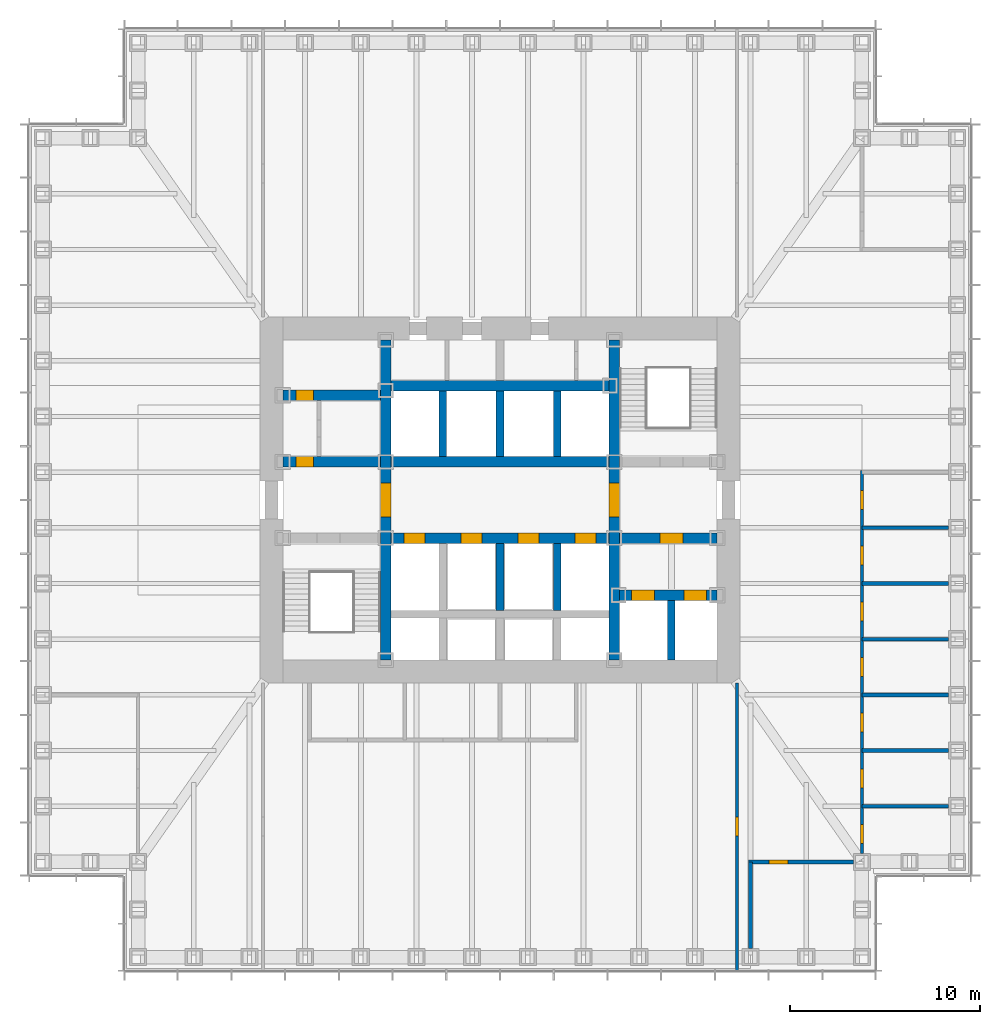
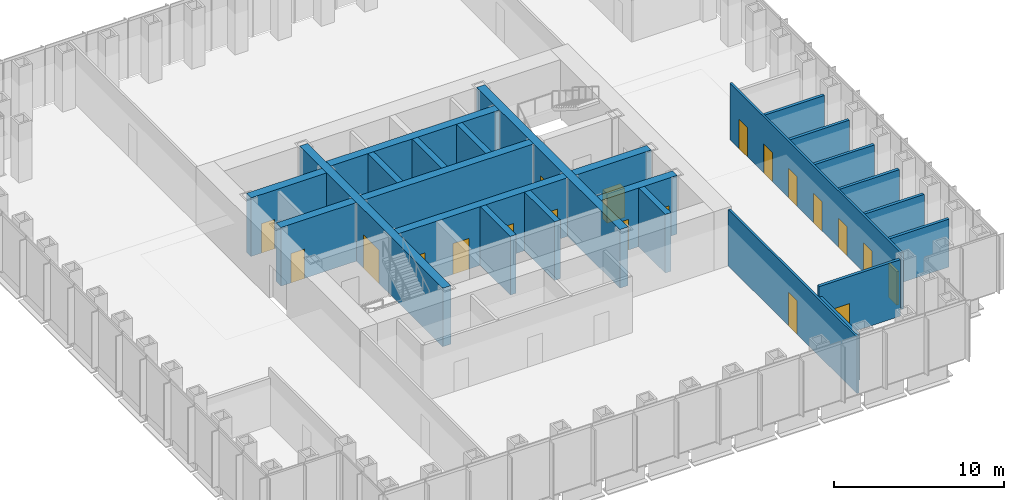
# One storey, part 9 of 16: 25 walls, 20 doors, 20 openings.
"""IFC4 building model written with IfcOpenShell, lengths in metres."""

from ifc_helpers import new_model, si_unit, direction, frame, frame_2d, origin, place, context, subcontext, project, spatial, rectangle, extrude, material, layer, layer_set, type_object, element, fill, save


model = new_model("IFC4")

# Units and contexts
model_context = context("Model", 3, precision=1e-05, world=origin(), true_north=direction((0.0, 1.0)))
body_context = subcontext(model_context, "Body", "Model", "MODEL_VIEW")
ifc_project = project(units=[si_unit("LENGTHUNIT", "METRE"), si_unit("AREAUNIT", "SQUARE_METRE"), si_unit("VOLUMEUNIT", "CUBIC_METRE"), si_unit("PLANEANGLEUNIT", "RADIAN"), si_unit("MASSUNIT", "GRAM", prefix="KILO")], contexts=[model_context])

# Site, building, storey
site_placement = place(None, origin())
site = spatial("IfcSite", under=ifc_project, at=site_placement, CompositionType="ELEMENT")
building_placement = place(site_placement, origin())
building = spatial("IfcBuilding", under=site, at=building_placement, Name="Daluyong Arena Tower", CompositionType="ELEMENT")
storey_placement = place(building_placement, frame((0.0, 0.0, 76.89990234375)))
storey = spatial("IfcBuildingStorey", under=building, at=storey_placement, Name="L16", CompositionType="ELEMENT", Elevation=76.89990234375)

# Wall, opening, door
ifc_material_1 = material(Name="Concrete fc' 45 MPa", Category="concrete")
ifc_layer_1 = layer(ifc_material_1, 0.550048828125)
ifc_layer_set_1 = layer_set([ifc_layer_1], Name="Concrete fc' 45 MPa")
wall_type_1 = type_object("IfcWallType", Name="Core inner wall 550", PredefinedType="SHEAR", material=ifc_layer_set_1)
wall_1_placement = place(storey_placement, frame((50.0, 71.60009765625, 0.0), z_axis=(0.0, 0.0, 1.0), x_axis=(0.0, 1.0, 0.0)))
wall_1 = element("IfcWall", 1, at=wall_1_placement, inside=storey, type_object=wall_type_1, Name="core inner wall at L16", PredefinedType="SHEAR", context=body_context, shape_type="SweptSolid", body=[
    extrude(rectangle(XDim=16.7998046875, YDim=0.550048828125, at=frame_2d((8.39990234375, 0.0))), origin(), (0.0, 0.0, 1.0), 4.2001953125),
])
opening_1_placement = place(wall_1_placement, frame((7.5, 0.0, 0.0)))
opening_1 = element("IfcOpeningElement", 2, at=opening_1_placement, cuts=wall_1, Name="Opening 16012", PredefinedType="OPENING", context=body_context, shape_type="SweptSolid", body=[
    extrude(rectangle(XDim=1.800048828125, YDim=2.39990234375, at=frame_2d((0.89990234375, 1.199951171875))), frame((0.0, 0.284912109375, 0.0), z_axis=(0.0, -1.0, 0.0), x_axis=(1.0, 0.0, 0.0)), (0.0, 0.0, 1.0), 0.570068359375),
])
ifc_material_2 = material(Name="Steel door, fire rated", Category="steel")
door_type_1 = type_object("IfcDoorType", Name="Lift lobby opening door 1800", OperationType="DOUBLE_DOOR_SINGLE_SWING", PredefinedType="DOOR", material=ifc_material_2)
door_1_placement = place(opening_1_placement, origin())
door_1 = element("IfcDoor", 3, at=door_1_placement, inside=storey, type_object=door_type_1, Name="lift lobby door west 16012", OperationType="DOUBLE_DOOR_SINGLE_SWING", OverallHeight=2.39990234375, OverallWidth=1.800048828125, PredefinedType="DOOR", context=body_context, shape_type="SweptSolid", body=[
    extrude(rectangle(XDim=1.800048828125, YDim=2.39990234375, at=frame_2d((0.89990234375, 1.199951171875))), frame((0.0, 0.27490234375, 0.0), z_axis=(0.0, -1.0, 0.0), x_axis=(1.0, 0.0, 0.0)), (0.0, 0.0, 1.0), 0.549560546875),
])
fill(opening_1, door_1)

wall_2_placement = place(storey_placement, frame((62.0, 71.60009765625, 0.0), z_axis=(0.0, 0.0, 1.0), x_axis=(0.0, 1.0, 0.0)))
wall_2 = element("IfcWall", 4, at=wall_2_placement, inside=storey, type_object=wall_type_1, Name="core inner wall at L16", PredefinedType="SHEAR", context=body_context, shape_type="SweptSolid", body=[
    extrude(rectangle(XDim=16.7998046875, YDim=0.550048828125, at=frame_2d((8.39990234375, 0.0))), origin(), (0.0, 0.0, 1.0), 4.2001953125),
])
opening_2_placement = place(wall_2_placement, frame((7.5, 0.0, 0.0)))
opening_2 = element("IfcOpeningElement", 5, at=opening_2_placement, cuts=wall_2, Name="Opening 16013", PredefinedType="OPENING", context=body_context, shape_type="SweptSolid", body=[
    extrude(rectangle(XDim=1.800048828125, YDim=2.39990234375, at=frame_2d((0.89990234375, 1.199951171875))), frame((0.0, 0.284912109375, 0.0), z_axis=(0.0, -1.0, 0.0), x_axis=(1.0, 0.0, 0.0)), (0.0, 0.0, 1.0), 0.570068359375),
])
door_2_placement = place(opening_2_placement, origin())
door_2 = element("IfcDoor", 6, at=door_2_placement, inside=storey, type_object=door_type_1, Name="lift lobby door east 16013", OperationType="DOUBLE_DOOR_SINGLE_SWING", OverallHeight=2.39990234375, OverallWidth=1.800048828125, PredefinedType="DOOR", context=body_context, shape_type="SweptSolid", body=[
    extrude(rectangle(XDim=1.800048828125, YDim=2.39990234375, at=frame_2d((0.89990234375, 1.199951171875))), frame((0.0, 0.27490234375, 0.0), z_axis=(0.0, -1.0, 0.0), x_axis=(1.0, 0.0, 0.0)), (0.0, 0.0, 1.0), 0.549560546875),
])
fill(opening_2, door_2)

wall_3_placement = place(storey_placement, frame((44.60009765625, 82.0, 0.0), z_axis=(0.0, 0.0, 1.0), x_axis=(1.0, 0.0, 0.0)))
wall_3 = element("IfcWall", 7, at=wall_3_placement, inside=storey, type_object=wall_type_1, Name="core inner wall at L16", PredefinedType="SHEAR", context=body_context, shape_type="SweptSolid", body=[
    extrude(rectangle(XDim=5.125, YDim=0.550048828125, at=frame_2d((2.5625, 0.0))), origin(), (0.0, 0.0, 1.0), 4.2001953125),
])
opening_3_placement = place(wall_3_placement, frame((0.699951171875, 0.0, 0.0)))
opening_3 = element("IfcOpeningElement", 8, at=opening_3_placement, cuts=wall_3, Name="Opening 16001", PredefinedType="OPENING", context=body_context, shape_type="SweptSolid", body=[
    extrude(rectangle(XDim=0.89990234375, YDim=2.10009765625, at=frame_2d((0.449951171875, 1.050048828125))), frame((0.0, 0.284912109375, 0.0), z_axis=(0.0, -1.0, 0.0), x_axis=(1.0, 0.0, 0.0)), (0.0, 0.0, 1.0), 0.570068359375),
])
ifc_material_3 = material(Name="Steel door, fire rated", Category="steel")
door_type_2 = type_object("IfcDoorType", Name="Core room door 900", OperationType="SINGLE_SWING_LEFT", PredefinedType="DOOR", material=ifc_material_3)
door_3_placement = place(opening_3_placement, origin())
door_3 = element("IfcDoor", 9, at=door_3_placement, inside=storey, type_object=door_type_2, Name="toilet lobby door 16001", OperationType="SINGLE_SWING_LEFT", OverallHeight=2.10009765625, OverallWidth=0.89990234375, PredefinedType="DOOR", context=body_context, shape_type="SweptSolid", body=[
    extrude(rectangle(XDim=0.89990234375, YDim=2.10009765625, at=frame_2d((0.449951171875, 1.050048828125))), frame((0.0, 0.27490234375, 0.0), z_axis=(0.0, -1.0, 0.0), x_axis=(1.0, 0.0, 0.0)), (0.0, 0.0, 1.0), 0.549560546875),
])
fill(opening_3, door_3)

wall_4_placement = place(storey_placement, frame((44.60009765625, 85.5, 0.0), z_axis=(0.0, 0.0, 1.0), x_axis=(1.0, 0.0, 0.0)))
wall_4 = element("IfcWall", 10, at=wall_4_placement, inside=storey, type_object=wall_type_1, Name="core inner wall at L16", PredefinedType="SHEAR", context=body_context, shape_type="SweptSolid", body=[
    extrude(rectangle(XDim=5.125, YDim=0.550048828125, at=frame_2d((2.5625, 0.0))), origin(), (0.0, 0.0, 1.0), 4.2001953125),
])
opening_4_placement = place(wall_4_placement, frame((0.699951171875, 0.0, 0.0)))
opening_4 = element("IfcOpeningElement", 11, at=opening_4_placement, cuts=wall_4, Name="Opening 16003", PredefinedType="OPENING", context=body_context, shape_type="SweptSolid", body=[
    extrude(rectangle(XDim=0.89990234375, YDim=2.10009765625, at=frame_2d((0.449951171875, 1.050048828125))), frame((0.0, 0.284912109375, 0.0), z_axis=(0.0, -1.0, 0.0), x_axis=(1.0, 0.0, 0.0)), (0.0, 0.0, 1.0), 0.570068359375),
])
ifc_material_4 = material(Name="Timber door", Category="wood")
door_type_3 = type_object("IfcDoorType", Name="Toilet door 900", OperationType="SINGLE_SWING_RIGHT", PredefinedType="DOOR", material=ifc_material_4)
door_4_placement = place(opening_4_placement, origin())
door_4 = element("IfcDoor", 12, at=door_4_placement, inside=storey, type_object=door_type_3, Name="female toilet door 16003", OperationType="SINGLE_SWING_RIGHT", OverallHeight=2.10009765625, OverallWidth=0.89990234375, PredefinedType="DOOR", context=body_context, shape_type="SweptSolid", body=[
    extrude(rectangle(XDim=0.89990234375, YDim=2.10009765625, at=frame_2d((0.449951171875, 1.050048828125))), frame((0.0, 0.27490234375, 0.0), z_axis=(0.0, -1.0, 0.0), x_axis=(1.0, 0.0, 0.0)), (0.0, 0.0, 1.0), 0.549560546875),
])
fill(opening_4, door_4)

# Wall, openings, doors
wall_5_placement = place(storey_placement, frame((62.27490234375, 75.0, 0.0), z_axis=(0.0, 0.0, 1.0), x_axis=(1.0, 0.0, 0.0)))
wall_5 = element("IfcWall", 13, at=wall_5_placement, inside=storey, type_object=wall_type_1, Name="core inner wall at L16", PredefinedType="SHEAR", context=body_context, shape_type="SweptSolid", body=[
    extrude(rectangle(XDim=5.125, YDim=0.550048828125, at=frame_2d((2.5625, 0.0))), origin(), (0.0, 0.0, 1.0), 4.2001953125),
])
opening_5_placement = place(wall_5_placement, frame((0.625, 0.0, 0.0)))
opening_5 = element("IfcOpeningElement", 14, at=opening_5_placement, cuts=wall_5, Name="Opening 16019", PredefinedType="OPENING", context=body_context, shape_type="SweptSolid", body=[
    extrude(rectangle(XDim=1.199951171875, YDim=2.199951171875, at=frame_2d((0.60009765625, 1.10009765625))), frame((0.0, 0.284912109375, 0.0), z_axis=(0.0, -1.0, 0.0), x_axis=(1.0, 0.0, 0.0)), (0.0, 0.0, 1.0), 0.570068359375),
])
opening_6_placement = place(wall_5_placement, frame((3.375, 0.0, 0.0)))
opening_6 = element("IfcOpeningElement", 15, at=opening_6_placement, cuts=wall_5, Name="Opening 16020", PredefinedType="OPENING", context=body_context, shape_type="SweptSolid", body=[
    extrude(rectangle(XDim=1.199951171875, YDim=2.199951171875, at=frame_2d((0.60009765625, 1.10009765625))), frame((0.0, 0.284912109375, 0.0), z_axis=(0.0, -1.0, 0.0), x_axis=(1.0, 0.0, 0.0)), (0.0, 0.0, 1.0), 0.570068359375),
])
ifc_material_5 = material(Name="Steel door, fire rated", Category="steel")
door_type_4 = type_object("IfcDoorType", Name="Firefighting lift landing door 1200", OperationType="SLIDING_TO_LEFT", PredefinedType="DOOR", material=ifc_material_5)
door_5_placement = place(opening_5_placement, origin())
door_5 = element("IfcDoor", 16, at=door_5_placement, inside=storey, type_object=door_type_4, Name="firefighting lift landing door F1 16019", OperationType="SLIDING_TO_LEFT", OverallHeight=2.199951171875, OverallWidth=1.199951171875, PredefinedType="DOOR", context=body_context, shape_type="SweptSolid", body=[
    extrude(rectangle(XDim=1.199951171875, YDim=2.199951171875, at=frame_2d((0.60009765625, 1.10009765625))), frame((0.0, 0.27490234375, 0.0), z_axis=(0.0, -1.0, 0.0), x_axis=(1.0, 0.0, 0.0)), (0.0, 0.0, 1.0), 0.549560546875),
])
fill(opening_5, door_5)
door_6_placement = place(opening_6_placement, origin())
door_6 = element("IfcDoor", 17, at=door_6_placement, inside=storey, type_object=door_type_4, Name="firefighting lift landing door F2 16020", OperationType="SLIDING_TO_LEFT", OverallHeight=2.199951171875, OverallWidth=1.199951171875, PredefinedType="DOOR", context=body_context, shape_type="SweptSolid", body=[
    extrude(rectangle(XDim=1.199951171875, YDim=2.199951171875, at=frame_2d((0.60009765625, 1.10009765625))), frame((0.0, 0.27490234375, 0.0), z_axis=(0.0, -1.0, 0.0), x_axis=(1.0, 0.0, 0.0)), (0.0, 0.0, 1.0), 0.549560546875),
])
fill(opening_6, door_6)

# Wall, opening, door
wall_6_placement = place(storey_placement, frame((62.27490234375, 78.0, 0.0), z_axis=(0.0, 0.0, 1.0), x_axis=(1.0, 0.0, 0.0)))
wall_6 = element("IfcWall", 18, at=wall_6_placement, inside=storey, type_object=wall_type_1, Name="core inner wall at L16", PredefinedType="SHEAR", context=body_context, shape_type="SweptSolid", body=[
    extrude(rectangle(XDim=5.125, YDim=0.550048828125, at=frame_2d((2.5625, 0.0))), origin(), (0.0, 0.0, 1.0), 4.2001953125),
])
opening_7_placement = place(wall_6_placement, frame((2.125, 0.0, 0.0)))
opening_7 = element("IfcOpeningElement", 19, at=opening_7_placement, cuts=wall_6, Name="Opening 16014", PredefinedType="OPENING", context=body_context, shape_type="SweptSolid", body=[
    extrude(rectangle(XDim=1.199951171875, YDim=2.10009765625, at=frame_2d((0.60009765625, 1.050048828125))), frame((0.0, 0.284912109375, 0.0), z_axis=(0.0, -1.0, 0.0), x_axis=(1.0, 0.0, 0.0)), (0.0, 0.0, 1.0), 0.570068359375),
])
ifc_material_6 = material(Name="Steel door, fire rated", Category="steel")
door_type_5 = type_object("IfcDoorType", Name="Firefighting lobby door 1200", OperationType="SINGLE_SWING_RIGHT", PredefinedType="DOOR", material=ifc_material_6)
door_7_placement = place(opening_7_placement, origin())
door_7 = element("IfcDoor", 20, at=door_7_placement, inside=storey, type_object=door_type_5, Name="firefighting lobby door 16014", OperationType="SINGLE_SWING_RIGHT", OverallHeight=2.10009765625, OverallWidth=1.199951171875, PredefinedType="DOOR", context=body_context, shape_type="SweptSolid", body=[
    extrude(rectangle(XDim=1.199951171875, YDim=2.10009765625, at=frame_2d((0.60009765625, 1.050048828125))), frame((0.0, 0.27490234375, 0.0), z_axis=(0.0, -1.0, 0.0), x_axis=(1.0, 0.0, 0.0)), (0.0, 0.0, 1.0), 0.549560546875),
])
fill(opening_7, door_7)

# Wall, openings, doors
wall_7_placement = place(storey_placement, frame((50.27490234375, 78.0, 0.0), z_axis=(0.0, 0.0, 1.0), x_axis=(1.0, 0.0, 0.0)))
wall_7 = element("IfcWall", 21, at=wall_7_placement, inside=storey, type_object=wall_type_1, Name="core inner wall at L16", PredefinedType="SHEAR", context=body_context, shape_type="SweptSolid", body=[
    extrude(rectangle(XDim=11.4501953125, YDim=0.550048828125, at=frame_2d((5.72509765625, 0.0))), origin(), (0.0, 0.0, 1.0), 4.2001953125),
])
opening_8_placement = place(wall_7_placement, frame((0.675048828125, 0.0, 0.0)))
opening_8 = element("IfcOpeningElement", 22, at=opening_8_placement, cuts=wall_7, Name="Opening 16015", PredefinedType="OPENING", context=body_context, shape_type="SweptSolid", body=[
    extrude(rectangle(XDim=1.10009765625, YDim=2.199951171875, at=frame_2d((0.550048828125, 1.10009765625))), frame((0.0, 0.284912109375, 0.0), z_axis=(0.0, -1.0, 0.0), x_axis=(1.0, 0.0, 0.0)), (0.0, 0.0, 1.0), 0.570068359375),
])
opening_9_placement = place(wall_7_placement, frame((3.675048828125, 0.0, 0.0)))
opening_9 = element("IfcOpeningElement", 23, at=opening_9_placement, cuts=wall_7, Name="Opening 16016", PredefinedType="OPENING", context=body_context, shape_type="SweptSolid", body=[
    extrude(rectangle(XDim=1.10009765625, YDim=2.199951171875, at=frame_2d((0.550048828125, 1.10009765625))), frame((0.0, 0.284912109375, 0.0), z_axis=(0.0, -1.0, 0.0), x_axis=(1.0, 0.0, 0.0)), (0.0, 0.0, 1.0), 0.570068359375),
])
opening_10_placement = place(wall_7_placement, frame((6.675048828125, 0.0, 0.0)))
opening_10 = element("IfcOpeningElement", 24, at=opening_10_placement, cuts=wall_7, Name="Opening 16017", PredefinedType="OPENING", context=body_context, shape_type="SweptSolid", body=[
    extrude(rectangle(XDim=1.10009765625, YDim=2.199951171875, at=frame_2d((0.550048828125, 1.10009765625))), frame((0.0, 0.284912109375, 0.0), z_axis=(0.0, -1.0, 0.0), x_axis=(1.0, 0.0, 0.0)), (0.0, 0.0, 1.0), 0.570068359375),
])
opening_11_placement = place(wall_7_placement, frame((9.675048828125, 0.0, 0.0)))
opening_11 = element("IfcOpeningElement", 25, at=opening_11_placement, cuts=wall_7, Name="Opening 16018", PredefinedType="OPENING", context=body_context, shape_type="SweptSolid", body=[
    extrude(rectangle(XDim=1.10009765625, YDim=2.199951171875, at=frame_2d((0.550048828125, 1.10009765625))), frame((0.0, 0.284912109375, 0.0), z_axis=(0.0, -1.0, 0.0), x_axis=(1.0, 0.0, 0.0)), (0.0, 0.0, 1.0), 0.570068359375),
])
ifc_material_7 = material(Name="Steel door, fire rated", Category="steel")
door_type_6 = type_object("IfcDoorType", Name="Lift landing door 1100", OperationType="SLIDING_TO_LEFT", PredefinedType="DOOR", material=ifc_material_7)
door_8_placement = place(opening_8_placement, origin())
door_8 = element("IfcDoor", 26, at=door_8_placement, inside=storey, type_object=door_type_6, Name="lift landing door A1 16015", OperationType="SLIDING_TO_LEFT", OverallHeight=2.199951171875, OverallWidth=1.10009765625, PredefinedType="DOOR", context=body_context, shape_type="SweptSolid", body=[
    extrude(rectangle(XDim=1.10009765625, YDim=2.199951171875, at=frame_2d((0.550048828125, 1.10009765625))), frame((0.0, 0.27490234375, 0.0), z_axis=(0.0, -1.0, 0.0), x_axis=(1.0, 0.0, 0.0)), (0.0, 0.0, 1.0), 0.549560546875),
])
fill(opening_8, door_8)
door_9_placement = place(opening_9_placement, origin())
door_9 = element("IfcDoor", 27, at=door_9_placement, inside=storey, type_object=door_type_6, Name="lift landing door A2 16016", OperationType="SLIDING_TO_LEFT", OverallHeight=2.199951171875, OverallWidth=1.10009765625, PredefinedType="DOOR", context=body_context, shape_type="SweptSolid", body=[
    extrude(rectangle(XDim=1.10009765625, YDim=2.199951171875, at=frame_2d((0.550048828125, 1.10009765625))), frame((0.0, 0.27490234375, 0.0), z_axis=(0.0, -1.0, 0.0), x_axis=(1.0, 0.0, 0.0)), (0.0, 0.0, 1.0), 0.549560546875),
])
fill(opening_9, door_9)
door_10_placement = place(opening_10_placement, origin())
door_10 = element("IfcDoor", 28, at=door_10_placement, inside=storey, type_object=door_type_6, Name="lift landing door A3 16017", OperationType="SLIDING_TO_LEFT", OverallHeight=2.199951171875, OverallWidth=1.10009765625, PredefinedType="DOOR", context=body_context, shape_type="SweptSolid", body=[
    extrude(rectangle(XDim=1.10009765625, YDim=2.199951171875, at=frame_2d((0.550048828125, 1.10009765625))), frame((0.0, 0.27490234375, 0.0), z_axis=(0.0, -1.0, 0.0), x_axis=(1.0, 0.0, 0.0)), (0.0, 0.0, 1.0), 0.549560546875),
])
fill(opening_10, door_10)
door_11_placement = place(opening_11_placement, origin())
door_11 = element("IfcDoor", 29, at=door_11_placement, inside=storey, type_object=door_type_6, Name="lift landing door A4 16018", OperationType="SLIDING_TO_LEFT", OverallHeight=2.199951171875, OverallWidth=1.10009765625, PredefinedType="DOOR", context=body_context, shape_type="SweptSolid", body=[
    extrude(rectangle(XDim=1.10009765625, YDim=2.199951171875, at=frame_2d((0.550048828125, 1.10009765625))), frame((0.0, 0.27490234375, 0.0), z_axis=(0.0, -1.0, 0.0), x_axis=(1.0, 0.0, 0.0)), (0.0, 0.0, 1.0), 0.549560546875),
])
fill(opening_11, door_11)

# Walls
for number, where, z_axis, x_axis, name in (
    (30, (50.27490234375, 82.0, 0.0), (0.0, 0.0, 1.0), (1.0, 0.0, 0.0), "core inner wall at L16"),
    (31, (50.27490234375, 86.0, 0.0), (0.0, 0.0, 1.0), (1.0, 0.0, 0.0), "core inner wall at L16"),
):
    element("IfcWall", number, at=place(storey_placement, frame(where, z_axis=z_axis, x_axis=x_axis)), inside=storey, type_object=wall_type_1, Name=name, PredefinedType="SHEAR", context=body_context, shape_type="SweptSolid", body=[
        extrude(rectangle(XDim=11.4501953125, YDim=0.550048828125, at=frame_2d((5.72509765625, 0.0))), origin(), (0.0, 0.0, 1.0), 4.2001953125),
    ])

# Wall, opening, door
ifc_material_8 = material(Name="Glazed aluminium partition", Category="aluminium")
ifc_layer_2 = layer(ifc_material_8, 0.14990234375)
ifc_layer_set_2 = layer_set([ifc_layer_2], Name="Glazed aluminium partition")
wall_type_2 = type_object("IfcWallType", Name="Glazed partition 150", PredefinedType="PARTITIONING", material=ifc_layer_set_2)
wall_8_placement = place(storey_placement, frame((68.449951171875, 55.31005859375, 0.0), z_axis=(0.0, 0.0, 1.0), x_axis=(0.0, 1.0, 0.0)))
wall_8 = element("IfcWall", 32, at=wall_8_placement, inside=storey, type_object=wall_type_2, Name="glazed partition at L16", PredefinedType="PARTITIONING", context=body_context, shape_type="SweptSolid", body=[
    extrude(rectangle(XDim=15.08984375, YDim=0.14990234375, at=frame_2d((7.544921875, 0.0))), origin(), (0.0, 0.0, 1.0), 4.0400390625),
])
opening_12_placement = place(wall_8_placement, frame((7.044921875, 0.0, 0.0)))
opening_12 = element("IfcOpeningElement", 33, at=opening_12_placement, cuts=wall_8, Name="Opening 16035", PredefinedType="OPENING", context=body_context, shape_type="SweptSolid", body=[
    extrude(rectangle(XDim=1.0, YDim=2.39990234375, at=frame_2d((0.5, 1.199951171875))), frame((0.0, 0.0849609375, 0.0), z_axis=(0.0, -1.0, 0.0), x_axis=(1.0, 0.0, 0.0)), (0.0, 0.0, 1.0), 0.169921875),
])
ifc_material_9 = material(Name="Glazed aluminium door", Category="aluminium")
door_type_7 = type_object("IfcDoorType", Name="Meeting room glazed door 1000", OperationType="SINGLE_SWING_RIGHT", PredefinedType="DOOR", material=ifc_material_9)
door_12_placement = place(opening_12_placement, origin())
door_12 = element("IfcDoor", 34, at=door_12_placement, inside=storey, type_object=door_type_7, Name="team area screen door 16035", OperationType="SINGLE_SWING_RIGHT", OverallHeight=2.39990234375, OverallWidth=1.0, PredefinedType="DOOR", context=body_context, shape_type="SweptSolid", body=[
    extrude(rectangle(XDim=1.0, YDim=2.39990234375, at=frame_2d((0.5, 1.199951171875))), frame((0.0, 0.07470703125, 0.0), z_axis=(0.0, -1.0, 0.0), x_axis=(1.0, 0.0, 0.0)), (0.0, 0.0, 1.0), 0.1494140625),
])
fill(opening_12, door_12)

# Wall, openings, doors
wall_9_placement = place(storey_placement, frame((75.0, 61.449951171875, 0.0), z_axis=(0.0, 0.0, 1.0), x_axis=(0.0, 1.0, 0.0)))
wall_9 = element("IfcWall", 35, at=wall_9_placement, inside=storey, type_object=wall_type_2, Name="glazed partition at L16", PredefinedType="PARTITIONING", context=body_context, shape_type="SweptSolid", body=[
    extrude(rectangle(XDim=20.111572265625, YDim=0.14990234375, at=frame_2d((10.0556640625, 0.0))), origin(), (0.0, 0.0, 1.0), 4.0400390625),
])
opening_13_placement = place(wall_9_placement, frame((0.511474609375, 0.0, 0.0)))
opening_13 = element("IfcOpeningElement", 36, at=opening_13_placement, cuts=wall_9, Name="Opening 16022", PredefinedType="OPENING", context=body_context, shape_type="SweptSolid", body=[
    extrude(rectangle(XDim=1.0, YDim=2.39990234375, at=frame_2d((0.5, 1.199951171875))), frame((0.0, 0.0849609375, 0.0), z_axis=(0.0, -1.0, 0.0), x_axis=(1.0, 0.0, 0.0)), (0.0, 0.0, 1.0), 0.169921875),
])
opening_14_placement = place(wall_9_placement, frame((3.4345703125, 0.0, 0.0)))
opening_14 = element("IfcOpeningElement", 37, at=opening_14_placement, cuts=wall_9, Name="Opening 16023", PredefinedType="OPENING", context=body_context, shape_type="SweptSolid", body=[
    extrude(rectangle(XDim=1.0, YDim=2.10009765625, at=frame_2d((0.5, 1.050048828125))), frame((0.0, 0.0849609375, 0.0), z_axis=(0.0, -1.0, 0.0), x_axis=(1.0, 0.0, 0.0)), (0.0, 0.0, 1.0), 0.169921875),
])
opening_15_placement = place(wall_9_placement, frame((6.357666015625, 0.0, 0.0)))
opening_15 = element("IfcOpeningElement", 38, at=opening_15_placement, cuts=wall_9, Name="Opening 16024", PredefinedType="OPENING", context=body_context, shape_type="SweptSolid", body=[
    extrude(rectangle(XDim=1.0, YDim=2.10009765625, at=frame_2d((0.5, 1.050048828125))), frame((0.0, 0.0849609375, 0.0), z_axis=(0.0, -1.0, 0.0), x_axis=(1.0, 0.0, 0.0)), (0.0, 0.0, 1.0), 0.169921875),
])
opening_16_placement = place(wall_9_placement, frame((9.28076171875, 0.0, 0.0)))
opening_16 = element("IfcOpeningElement", 39, at=opening_16_placement, cuts=wall_9, Name="Opening 16025", PredefinedType="OPENING", context=body_context, shape_type="SweptSolid", body=[
    extrude(rectangle(XDim=1.0, YDim=2.10009765625, at=frame_2d((0.5, 1.050048828125))), frame((0.0, 0.0849609375, 0.0), z_axis=(0.0, -1.0, 0.0), x_axis=(1.0, 0.0, 0.0)), (0.0, 0.0, 1.0), 0.169921875),
])
opening_17_placement = place(wall_9_placement, frame((12.203857421875, 0.0, 0.0)))
opening_17 = element("IfcOpeningElement", 40, at=opening_17_placement, cuts=wall_9, Name="Opening 16026", PredefinedType="OPENING", context=body_context, shape_type="SweptSolid", body=[
    extrude(rectangle(XDim=1.0, YDim=2.10009765625, at=frame_2d((0.5, 1.050048828125))), frame((0.0, 0.0849609375, 0.0), z_axis=(0.0, -1.0, 0.0), x_axis=(1.0, 0.0, 0.0)), (0.0, 0.0, 1.0), 0.169921875),
])
opening_18_placement = place(wall_9_placement, frame((15.126953125, 0.0, 0.0)))
opening_18 = element("IfcOpeningElement", 41, at=opening_18_placement, cuts=wall_9, Name="Opening 16027", PredefinedType="OPENING", context=body_context, shape_type="SweptSolid", body=[
    extrude(rectangle(XDim=1.0, YDim=2.10009765625, at=frame_2d((0.5, 1.050048828125))), frame((0.0, 0.0849609375, 0.0), z_axis=(0.0, -1.0, 0.0), x_axis=(1.0, 0.0, 0.0)), (0.0, 0.0, 1.0), 0.169921875),
])
opening_19_placement = place(wall_9_placement, frame((18.050048828125, 0.0, 0.0)))
opening_19 = element("IfcOpeningElement", 42, at=opening_19_placement, cuts=wall_9, Name="Opening 16028", PredefinedType="OPENING", context=body_context, shape_type="SweptSolid", body=[
    extrude(rectangle(XDim=1.0, YDim=2.10009765625, at=frame_2d((0.5, 1.050048828125))), frame((0.0, 0.0849609375, 0.0), z_axis=(0.0, -1.0, 0.0), x_axis=(1.0, 0.0, 0.0)), (0.0, 0.0, 1.0), 0.169921875),
])
door_13_placement = place(opening_13_placement, origin())
door_13 = element("IfcDoor", 43, at=door_13_placement, inside=storey, type_object=door_type_7, Name="focus room door 16022", OperationType="SINGLE_SWING_RIGHT", OverallHeight=2.39990234375, OverallWidth=1.0, PredefinedType="DOOR", context=body_context, shape_type="SweptSolid", body=[
    extrude(rectangle(XDim=1.0, YDim=2.39990234375, at=frame_2d((0.5, 1.199951171875))), frame((0.0, 0.07470703125, 0.0), z_axis=(0.0, -1.0, 0.0), x_axis=(1.0, 0.0, 0.0)), (0.0, 0.0, 1.0), 0.1494140625),
])
fill(opening_13, door_13)
ifc_material_10 = material(Name="Timber door", Category="wood")
door_type_8 = type_object("IfcDoorType", Name="Room door 1000", OperationType="SINGLE_SWING_LEFT", PredefinedType="DOOR", material=ifc_material_10)
door_14_placement = place(opening_14_placement, origin())
door_14 = element("IfcDoor", 44, at=door_14_placement, inside=storey, type_object=door_type_8, Name="office door 16023", OperationType="SINGLE_SWING_LEFT", OverallHeight=2.10009765625, OverallWidth=1.0, PredefinedType="DOOR", context=body_context, shape_type="SweptSolid", body=[
    extrude(rectangle(XDim=1.0, YDim=2.10009765625, at=frame_2d((0.5, 1.050048828125))), frame((0.0, 0.07470703125, 0.0), z_axis=(0.0, -1.0, 0.0), x_axis=(1.0, 0.0, 0.0)), (0.0, 0.0, 1.0), 0.1494140625),
])
fill(opening_14, door_14)
door_15_placement = place(opening_15_placement, origin())
door_15 = element("IfcDoor", 45, at=door_15_placement, inside=storey, type_object=door_type_8, Name="office door 16024", OperationType="SINGLE_SWING_LEFT", OverallHeight=2.10009765625, OverallWidth=1.0, PredefinedType="DOOR", context=body_context, shape_type="SweptSolid", body=[
    extrude(rectangle(XDim=1.0, YDim=2.10009765625, at=frame_2d((0.5, 1.050048828125))), frame((0.0, 0.07470703125, 0.0), z_axis=(0.0, -1.0, 0.0), x_axis=(1.0, 0.0, 0.0)), (0.0, 0.0, 1.0), 0.1494140625),
])
fill(opening_15, door_15)
door_16_placement = place(opening_16_placement, origin())
door_16 = element("IfcDoor", 46, at=door_16_placement, inside=storey, type_object=door_type_8, Name="office door 16025", OperationType="SINGLE_SWING_LEFT", OverallHeight=2.10009765625, OverallWidth=1.0, PredefinedType="DOOR", context=body_context, shape_type="SweptSolid", body=[
    extrude(rectangle(XDim=1.0, YDim=2.10009765625, at=frame_2d((0.5, 1.050048828125))), frame((0.0, 0.07470703125, 0.0), z_axis=(0.0, -1.0, 0.0), x_axis=(1.0, 0.0, 0.0)), (0.0, 0.0, 1.0), 0.1494140625),
])
fill(opening_16, door_16)
door_17_placement = place(opening_17_placement, origin())
door_17 = element("IfcDoor", 47, at=door_17_placement, inside=storey, type_object=door_type_8, Name="office door 16026", OperationType="SINGLE_SWING_LEFT", OverallHeight=2.10009765625, OverallWidth=1.0, PredefinedType="DOOR", context=body_context, shape_type="SweptSolid", body=[
    extrude(rectangle(XDim=1.0, YDim=2.10009765625, at=frame_2d((0.5, 1.050048828125))), frame((0.0, 0.07470703125, 0.0), z_axis=(0.0, -1.0, 0.0), x_axis=(1.0, 0.0, 0.0)), (0.0, 0.0, 1.0), 0.1494140625),
])
fill(opening_17, door_17)
door_18_placement = place(opening_18_placement, origin())
door_18 = element("IfcDoor", 48, at=door_18_placement, inside=storey, type_object=door_type_8, Name="office door 16027", OperationType="SINGLE_SWING_LEFT", OverallHeight=2.10009765625, OverallWidth=1.0, PredefinedType="DOOR", context=body_context, shape_type="SweptSolid", body=[
    extrude(rectangle(XDim=1.0, YDim=2.10009765625, at=frame_2d((0.5, 1.050048828125))), frame((0.0, 0.07470703125, 0.0), z_axis=(0.0, -1.0, 0.0), x_axis=(1.0, 0.0, 0.0)), (0.0, 0.0, 1.0), 0.1494140625),
])
fill(opening_18, door_18)
door_19_placement = place(opening_19_placement, origin())
door_19 = element("IfcDoor", 49, at=door_19_placement, inside=storey, type_object=door_type_8, Name="office door 16028", OperationType="SINGLE_SWING_LEFT", OverallHeight=2.10009765625, OverallWidth=1.0, PredefinedType="DOOR", context=body_context, shape_type="SweptSolid", body=[
    extrude(rectangle(XDim=1.0, YDim=2.10009765625, at=frame_2d((0.5, 1.050048828125))), frame((0.0, 0.07470703125, 0.0), z_axis=(0.0, -1.0, 0.0), x_axis=(1.0, 0.0, 0.0)), (0.0, 0.0, 1.0), 0.1494140625),
])
fill(opening_19, door_19)

# Walls
ifc_material_11 = material(Name="Concrete fc' 45 MPa", Category="concrete")
ifc_layer_3 = layer(ifc_material_11, 0.39990234375)
ifc_layer_set_3 = layer_set([ifc_layer_3], Name="Concrete fc' 45 MPa")
wall_type_3 = type_object("IfcWallType", Name="Lift shaft wall 400", PredefinedType="SHEAR", material=ifc_layer_set_3)
wall_10_placement = place(storey_placement, frame((53.0, 82.27490234375, 0.0), z_axis=(0.0, 0.0, 1.0), x_axis=(0.0, 1.0, 0.0)))
element("IfcWall", 50, at=wall_10_placement, inside=storey, type_object=wall_type_3, Name="lift shaft wall at L16", PredefinedType="SHEAR", context=body_context, shape_type="SweptSolid", body=[
    extrude(rectangle(XDim=3.4501953125, YDim=0.39990234375, at=frame_2d((1.72509765625, 0.0))), origin(), (0.0, 0.0, 1.0), 4.2001953125),
])
wall_11_placement = place(storey_placement, frame((56.0, 74.199951171875, 0.0), z_axis=(0.0, 0.0, 1.0), x_axis=(0.0, 1.0, 0.0)))
element("IfcWall", 51, at=wall_11_placement, inside=storey, type_object=wall_type_3, Name="lift shaft wall at L16", PredefinedType="SHEAR", context=body_context, shape_type="SweptSolid", body=[
    extrude(rectangle(XDim=3.525146484375, YDim=0.39990234375, at=frame_2d((1.7626953125, 0.0))), origin(), (0.0, 0.0, 1.0), 4.2001953125),
])
wall_12_placement = place(storey_placement, frame((56.0, 82.27490234375, 0.0), z_axis=(0.0, 0.0, 1.0), x_axis=(0.0, 1.0, 0.0)))
element("IfcWall", 52, at=wall_12_placement, inside=storey, type_object=wall_type_3, Name="lift shaft wall at L16", PredefinedType="SHEAR", context=body_context, shape_type="SweptSolid", body=[
    extrude(rectangle(XDim=3.4501953125, YDim=0.39990234375, at=frame_2d((1.72509765625, 0.0))), origin(), (0.0, 0.0, 1.0), 4.2001953125),
])
wall_13_placement = place(storey_placement, frame((59.0, 74.199951171875, 0.0), z_axis=(0.0, 0.0, 1.0), x_axis=(0.0, 1.0, 0.0)))
element("IfcWall", 53, at=wall_13_placement, inside=storey, type_object=wall_type_3, Name="lift shaft wall at L16", PredefinedType="SHEAR", context=body_context, shape_type="SweptSolid", body=[
    extrude(rectangle(XDim=3.525146484375, YDim=0.39990234375, at=frame_2d((1.7626953125, 0.0))), origin(), (0.0, 0.0, 1.0), 4.2001953125),
])
wall_14_placement = place(storey_placement, frame((59.0, 82.27490234375, 0.0), z_axis=(0.0, 0.0, 1.0), x_axis=(0.0, 1.0, 0.0)))
element("IfcWall", 54, at=wall_14_placement, inside=storey, type_object=wall_type_3, Name="lift shaft wall at L16", PredefinedType="SHEAR", context=body_context, shape_type="SweptSolid", body=[
    extrude(rectangle(XDim=3.4501953125, YDim=0.39990234375, at=frame_2d((1.72509765625, 0.0))), origin(), (0.0, 0.0, 1.0), 4.2001953125),
])
wall_15_placement = place(storey_placement, frame((65.0, 71.60009765625, 0.0), z_axis=(0.0, 0.0, 1.0), x_axis=(0.0, 1.0, 0.0)))
element("IfcWall", 55, at=wall_15_placement, inside=storey, type_object=wall_type_3, Name="lift shaft wall at L16", PredefinedType="SHEAR", context=body_context, shape_type="SweptSolid", body=[
    extrude(rectangle(XDim=3.125, YDim=0.39990234375, at=frame_2d((1.5625, 0.0))), origin(), (0.0, 0.0, 1.0), 4.2001953125),
])
ifc_material_12 = material(Name="Concrete block partition", Category="concrete")
ifc_layer_4 = layer(ifc_material_12, 0.199951171875)
ifc_layer_set_4 = layer_set([ifc_layer_4], Name="Concrete block partition")
wall_type_4 = type_object("IfcWallType", Name="Partition 200", PredefinedType="PARTITIONING", material=ifc_layer_set_4)
wall_16_placement = place(storey_placement, frame((69.15380859375, 56.449951171875, 0.0), z_axis=(0.0, 0.0, 1.0), x_axis=(0.0, 1.0, 0.0)))
element("IfcWall", 56, at=wall_16_placement, inside=storey, type_object=wall_type_4, Name="partition at L16", PredefinedType="PARTITIONING", context=body_context, shape_type="SweptSolid", body=[
    extrude(rectangle(XDim=4.550048828125, YDim=0.199951171875, at=frame_2d((2.27490234375, 0.0))), origin(), (0.0, 0.0, 1.0), 3.278076171875),
])
for number, where, z_axis, x_axis, name in (
    (57, (75.0, 63.923095703125, 0.0), (0.0, 0.0, 1.0), (1.0, 0.0, 0.0), "partition at L16"),
    (58, (75.0, 66.84619140625, 0.0), (0.0, 0.0, 1.0), (1.0, 0.0, 0.0), "partition at L16"),
    (59, (75.0, 69.769287109375, 0.0), (0.0, 0.0, 1.0), (1.0, 0.0, 0.0), "partition at L16"),
    (60, (75.0, 72.6923828125, 0.0), (0.0, 0.0, 1.0), (1.0, 0.0, 0.0), "partition at L16"),
    (61, (75.0, 75.615478515625, 0.0), (0.0, 0.0, 1.0), (1.0, 0.0, 0.0), "partition at L16"),
    (62, (75.0, 78.53857421875, 0.0), (0.0, 0.0, 1.0), (1.0, 0.0, 0.0), "partition at L16"),
):
    element("IfcWall", number, at=place(storey_placement, frame(where, z_axis=z_axis, x_axis=x_axis)), inside=storey, type_object=wall_type_4, Name=name, PredefinedType="PARTITIONING", context=body_context, shape_type="SweptSolid", body=[
        extrude(rectangle(XDim=4.550048828125, YDim=0.199951171875, at=frame_2d((2.27490234375, 0.0))), origin(), (0.0, 0.0, 1.0), 3.427978515625),
    ])

# Wall, opening, door
wall_17_placement = place(storey_placement, frame((69.053955078125, 61.0, 0.0), z_axis=(0.0, 0.0, 1.0), x_axis=(1.0, 0.0, 0.0)))
wall_17 = element("IfcWall", 63, at=wall_17_placement, inside=storey, type_object=wall_type_4, Name="partition at L16", PredefinedType="PARTITIONING", context=body_context, shape_type="SweptSolid", body=[
    extrude(rectangle(XDim=5.49609375, YDim=0.199951171875, at=frame_2d((2.748046875, 0.0))), origin(), (0.0, 0.0, 1.0), 4.0400390625),
])
opening_20_placement = place(wall_17_placement, frame((1.0615234375, 0.0, 0.0)))
opening_20 = element("IfcOpeningElement", 64, at=opening_20_placement, cuts=wall_17, Name="Opening 16021", PredefinedType="OPENING", context=body_context, shape_type="SweptSolid", body=[
    extrude(rectangle(XDim=1.0, YDim=2.10009765625, at=frame_2d((0.5, 1.050048828125))), frame((0.0, 0.10986328125, 0.0), z_axis=(0.0, -1.0, 0.0), x_axis=(1.0, 0.0, 0.0)), (0.0, 0.0, 1.0), 0.219970703125),
])
door_20_placement = place(opening_20_placement, origin())
door_20 = element("IfcDoor", 65, at=door_20_placement, inside=storey, type_object=door_type_8, Name="pantry door 16021", OperationType="SINGLE_SWING_LEFT", OverallHeight=2.10009765625, OverallWidth=1.0, PredefinedType="DOOR", context=body_context, shape_type="SweptSolid", body=[
    extrude(rectangle(XDim=1.0, YDim=2.10009765625, at=frame_2d((0.5, 1.050048828125))), frame((0.0, 0.099609375, 0.0), z_axis=(0.0, -1.0, 0.0), x_axis=(1.0, 0.0, 0.0)), (0.0, 0.0, 1.0), 0.199462890625),
])
fill(opening_20, door_20)

save(model, "model.ifc")
